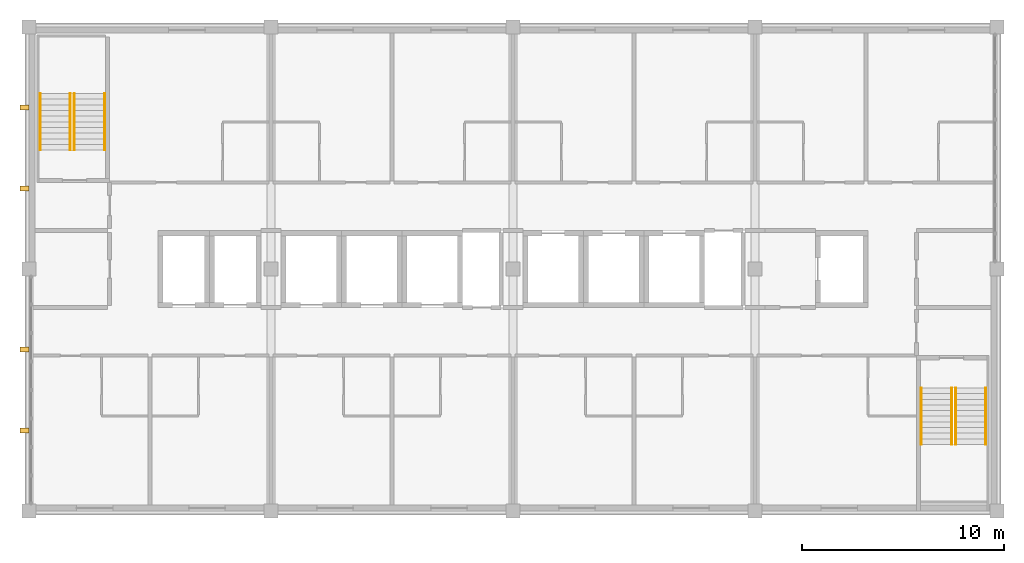
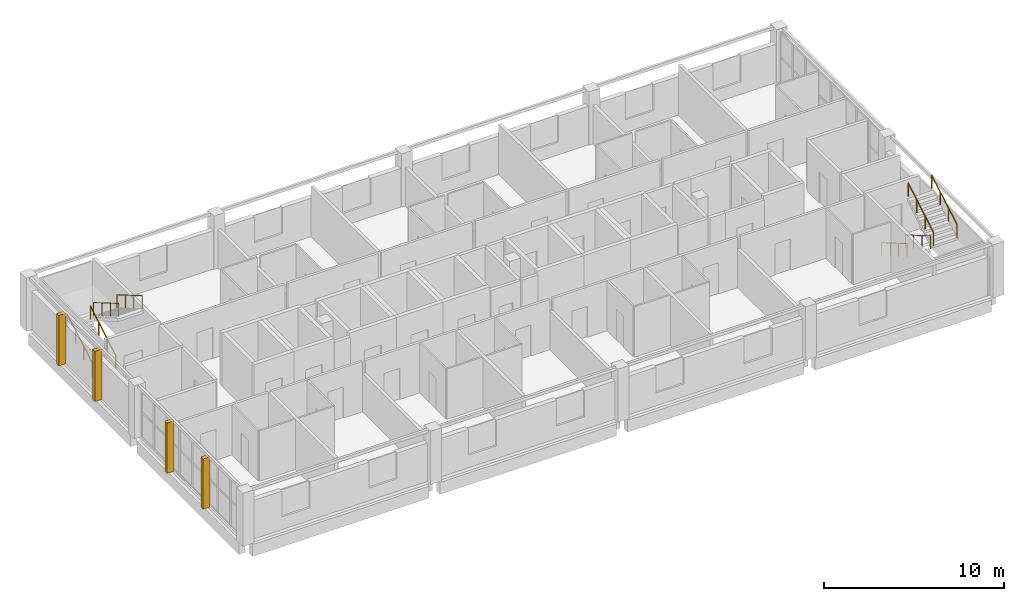
# One storey, part 11 of 11: 8 railings, 4 coverings.
"""IFC4 building model written with IfcOpenShell, lengths in metres."""

from ifc_helpers import new_model, si_unit, direction, frame, frame_2d, origin, origin_2d, place, context, subcontext, project, spatial, rectangle, circle, extrude, material, layer, layer_set, type_object, element, save


model = new_model("IFC4")

# Units and contexts
model_context = context("Model", 3, precision=1e-05, world=origin(), true_north=direction((0.0, 1.0)))
body_context = subcontext(model_context, "Body", "Model", "MODEL_VIEW")
ifc_project = project(units=[si_unit("LENGTHUNIT", "METRE"), si_unit("AREAUNIT", "SQUARE_METRE"), si_unit("VOLUMEUNIT", "CUBIC_METRE"), si_unit("PLANEANGLEUNIT", "RADIAN"), si_unit("MASSUNIT", "GRAM", prefix="KILO")], contexts=[model_context])

# Site, building, storey
site_placement = place(None, origin())
site = spatial("IfcSite", under=ifc_project, at=site_placement, CompositionType="ELEMENT")
building_placement = place(site_placement, origin())
building = spatial("IfcBuilding", under=site, at=building_placement, Name="Lilac Gate Convention Centre", CompositionType="ELEMENT")
storey_placement = place(building_placement, frame((0.0, 0.0, 60.60009765625)))
storey = spatial("IfcBuildingStorey", under=building, at=storey_placement, Name="L15", CompositionType="ELEMENT", Elevation=60.60009765625)

# Coverings
ifc_material_1 = material(Name="Concrete C40 precast", Category="concrete")
ifc_layer_1 = layer(ifc_material_1, 0.22998046875)
ifc_material_2 = material(Name="Terracotta glazed cladding", Category="masonry")
ifc_layer_2 = layer(ifc_material_2, 0.02001953125)
ifc_layer_set = layer_set([ifc_layer_1, ifc_layer_2], Name="Concrete C40 precast, Terracotta glazed cladding")
covering_type = type_object("IfcCoveringType", Name="Precast fin 250 x 450", PredefinedType="CLADDING", material=ifc_layer_set)
for number, where, z_axis, x_axis, name in (
    (1, (41.550048828125, 226.0, 0.0), (0.0, 0.0, 1.0), (1.0, 0.0, 0.0), "Precast fin west L15 226"),
    (2, (41.550048828125, 230.0, 0.0), (0.0, 0.0, 1.0), (1.0, 0.0, 0.0), "Precast fin west L15 230"),
    (3, (41.550048828125, 238.0, 0.0), (0.0, 0.0, 1.0), (1.0, 0.0, 0.0), "Precast fin west L15 238"),
    (4, (41.550048828125, 242.0, 0.0), (0.0, 0.0, 1.0), (1.0, 0.0, 0.0), "Precast fin west L15 242"),
):
    element("IfcCovering", number, at=place(storey_placement, frame(where, z_axis=z_axis, x_axis=x_axis)), inside=storey, type_object=covering_type, Name=name, PredefinedType="CLADDING", context=body_context, shape_type="SweptSolid", body=[
        extrude(rectangle(XDim=0.449951171875, YDim=0.25, at=frame_2d((0.22509765625, 0.0))), origin(), (0.0, 0.0, 1.0), 3.39990234375),
    ])

# Railings
ifc_material_3 = material(Name="Stainless steel 304", Category="steel")
railing_type = type_object("IfcRailingType", Name="Stair handrail", PredefinedType="HANDRAIL", material=ifc_material_3)
for number, where, name in (
    (5, (42.550048828125, 239.89990234375, 0.16357421875), "Handrail NW L15 flight 1"),
    (6, (44.050048828125, 239.89990234375, 0.16357421875), "Handrail NW L15 flight 1"),
):
    element("IfcRailing", number, at=place(storey_placement, frame(where)), inside=storey, type_object=railing_type, Name=name, PredefinedType="HANDRAIL", context=body_context, shape_type="SweptSolid", body=[
        extrude(circle(Radius=0.02392578125, at=origin_2d()), frame((0.0, 0.0, 0.8759765625), z_axis=(0.0, 0.863393664356, 0.504530851732), x_axis=(-1.0, 0.0, 0.0)), (0.0, 0.0, 1.0), 3.2431640625),
        extrude(circle(Radius=0.02099609375, at=origin_2d()), origin(), (0.0, 0.0, 1.0), 0.851806640625),
        extrude(circle(Radius=0.02099609375, at=origin_2d()), frame((0.0, 0.933349609375, 0.54541015625)), (0.0, 0.0, 1.0), 0.851806640625),
        extrude(circle(Radius=0.02099609375, at=origin_2d()), frame((0.0, 1.86669921875, 1.0908203125)), (0.0, 0.0, 1.0), 0.851806640625),
        extrude(circle(Radius=0.02099609375, at=origin_2d()), frame((0.0, 2.800048828125, 1.63623046875)), (0.0, 0.0, 1.0), 0.851806640625),
    ])
for number, where, name in (
    (7, (45.75, 242.699951171875, 1.963623046875), "Handrail NW L15 flight 2"),
    (8, (44.25, 242.699951171875, 1.963623046875), "Handrail NW L15 flight 2"),
    (9, (87.75, 228.10009765625, 0.16357421875), "Handrail SE L15 flight 1"),
    (10, (86.25, 228.10009765625, 0.16357421875), "Handrail SE L15 flight 1"),
):
    element("IfcRailing", number, at=place(storey_placement, frame(where)), inside=storey, type_object=railing_type, Name=name, PredefinedType="HANDRAIL", context=body_context, shape_type="SweptSolid", body=[
        extrude(circle(Radius=0.02392578125, at=origin_2d()), frame((0.0, 0.0, 0.8759765625), z_axis=(0.0, -0.863393664356, 0.504530851732), x_axis=(1.0, 0.0, 0.0)), (0.0, 0.0, 1.0), 3.2431640625),
        extrude(circle(Radius=0.02099609375, at=origin_2d()), origin(), (0.0, 0.0, 1.0), 0.851806640625),
        extrude(circle(Radius=0.02099609375, at=origin_2d()), frame((0.0, -0.933349609375, 0.54541015625)), (0.0, 0.0, 1.0), 0.851806640625),
        extrude(circle(Radius=0.02099609375, at=origin_2d()), frame((0.0, -1.86669921875, 1.0908203125)), (0.0, 0.0, 1.0), 0.851806640625),
        extrude(circle(Radius=0.02099609375, at=origin_2d()), frame((0.0, -2.800048828125, 1.63623046875)), (0.0, 0.0, 1.0), 0.851806640625),
    ])
for number, where, name in (
    (11, (87.949951171875, 225.300048828125, 1.963623046875), "Handrail SE L15 flight 2"),
    (12, (89.449951171875, 225.300048828125, 1.963623046875), "Handrail SE L15 flight 2"),
):
    element("IfcRailing", number, at=place(storey_placement, frame(where)), inside=storey, type_object=railing_type, Name=name, PredefinedType="HANDRAIL", context=body_context, shape_type="SweptSolid", body=[
        extrude(circle(Radius=0.02392578125, at=origin_2d()), frame((0.0, 0.0, 0.8759765625), z_axis=(0.0, 0.863393664356, 0.504530851732), x_axis=(-1.0, 0.0, 0.0)), (0.0, 0.0, 1.0), 3.2431640625),
        extrude(circle(Radius=0.02099609375, at=origin_2d()), origin(), (0.0, 0.0, 1.0), 0.851806640625),
        extrude(circle(Radius=0.02099609375, at=origin_2d()), frame((0.0, 0.933349609375, 0.54541015625)), (0.0, 0.0, 1.0), 0.851806640625),
        extrude(circle(Radius=0.02099609375, at=origin_2d()), frame((0.0, 1.86669921875, 1.0908203125)), (0.0, 0.0, 1.0), 0.851806640625),
        extrude(circle(Radius=0.02099609375, at=origin_2d()), frame((0.0, 2.800048828125, 1.63623046875)), (0.0, 0.0, 1.0), 0.851806640625),
    ])

save(model, "model.ifc")
